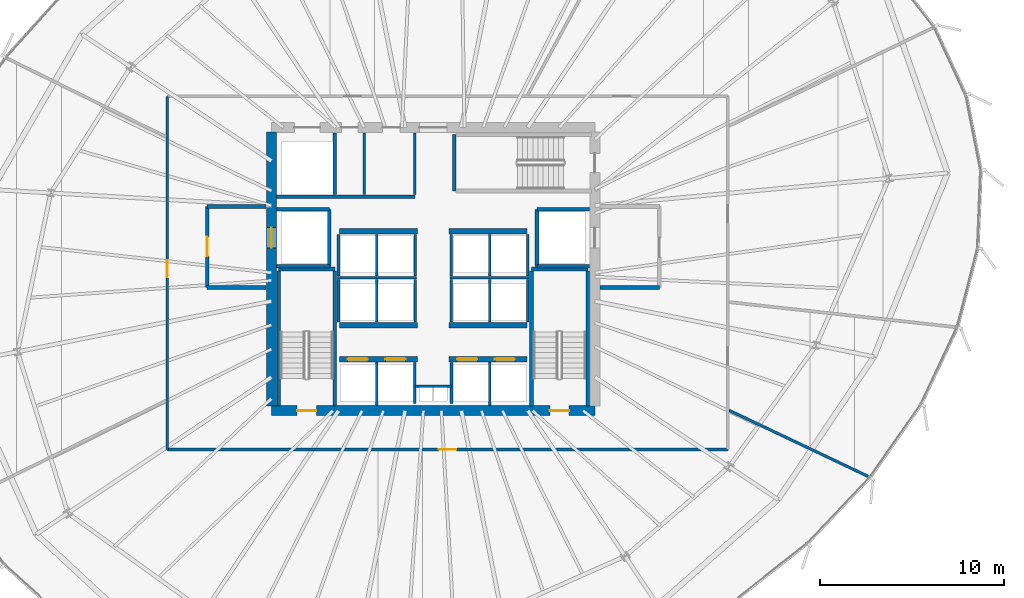
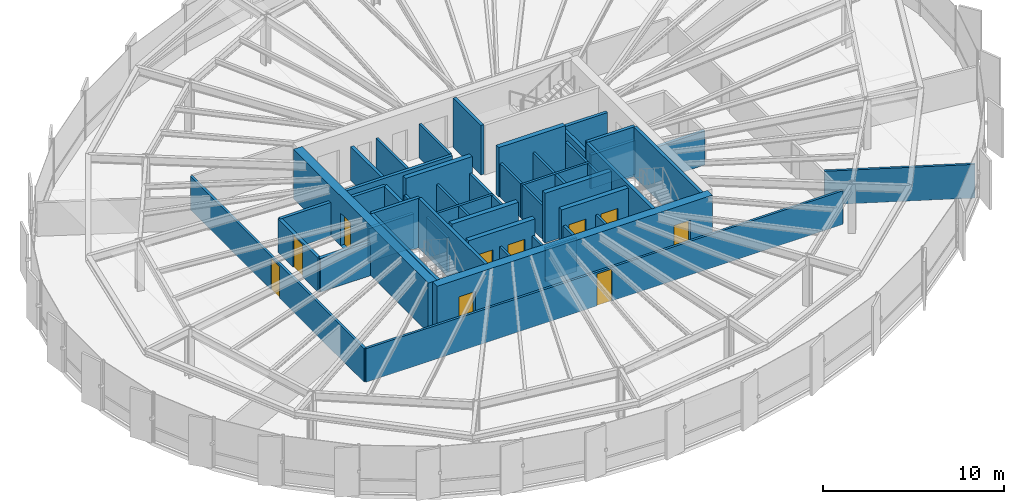
# One storey, part 29 of 35: 51 walls, 10 doors, 10 openings.
"""IFC4 building model written with IfcOpenShell, lengths in metres."""

import ifcopenshell
import ifcopenshell.guid

model = None  # the IFC model being written
_history = None  # IfcOwnerHistory: only IFC2X3 demands one
_inside = {}  # id of a spatial element -> (the spatial element, [elements in it])
_under = {}  # id of a project, library or spatial element -> (it, [spatial elements below it])
_declared = {}  # id of a project -> (the project, [libraries it declares])
_typed = {}  # id of a type object -> (the type object, [elements of that type])
_made_of = {}  # id of a material, layer set ... -> (it, [elements and type objects made of it])


def new_model(schema):
    """Start an empty IFC model of exactly this schema.

    Asked for "IFC4X3", IfcOpenShell would pick the latest addendum, in which some entities
    have other attributes; the version numbers below select the first issue.
    IFC2X3 requires an IfcOwnerHistory on every rooted entity: one is made here for all.
    """
    global model, _history
    if schema == "IFC4X3":
        model = ifcopenshell.file(schema_version=(4, 3, 0, 0))
    else:
        model = ifcopenshell.file(schema=schema)
    _inside.clear()
    _under.clear()
    _declared.clear()
    _typed.clear()
    _made_of.clear()
    _history = None
    if model.schema == "IFC2X3":
        org = make("IfcOrganization", Name="unknown")
        user = make(
            "IfcPersonAndOrganization",
            ThePerson=make("IfcPerson", FamilyName="unknown"),
            TheOrganization=org,
        )
        app = make(
            "IfcApplication",
            ApplicationDeveloper=org,
            Version="unknown",
            ApplicationFullName="unknown",
            ApplicationIdentifier="unknown",
        )
        _history = make(
            "IfcOwnerHistory",
            OwningUser=user,
            OwningApplication=app,
            ChangeAction="ADDED",
            CreationDate=0,
        )
    return model


def make(cls, **values):
    """One entity of the class cls with the attributes given. An attribute that is None is left unset."""
    return model.create_entity(
        cls, **{name: value for name, value in values.items() if value is not None}
    )


def rooted(cls, **values):
    """An entity with a GlobalId (a new one), such as an element, a storey or a relation."""
    return make(cls, GlobalId=ifcopenshell.guid.new(), OwnerHistory=_history, **values)


def si_unit(unit_type, name, prefix=None):
    """IfcSIUnit, for example si_unit("LENGTHUNIT", "METRE", prefix="MILLI")."""
    return make("IfcSIUnit", UnitType=unit_type, Prefix=prefix, Name=name)


def assignment(units):
    """IfcUnitAssignment: the units of a project."""
    return None if units is None else make("IfcUnitAssignment", Units=units)


def point(xyz):
    """IfcCartesianPoint."""
    return None if xyz is None else make("IfcCartesianPoint", Coordinates=xyz)


def direction(xyz):
    """IfcDirection."""
    return None if xyz is None else make("IfcDirection", DirectionRatios=xyz)


def frame(location, z_axis=None, x_axis=None):
    """IfcAxis2Placement3D, a coordinate frame: its origin and axes. An axis left out is left unset."""
    return make(
        "IfcAxis2Placement3D",
        Location=point(location),
        Axis=direction(z_axis),
        RefDirection=direction(x_axis),
    )


def frame_2d(location, x_axis=None):
    """IfcAxis2Placement2D, a coordinate frame in the plane: its origin and x axis."""
    return make(
        "IfcAxis2Placement2D", Location=point(location), RefDirection=direction(x_axis)
    )


def origin():
    """The frame at (0, 0, 0) with its axes left unset."""
    return frame((0.0, 0.0, 0.0))


def place(relative_to, where):
    """IfcLocalPlacement: puts the frame where relative to a parent placement (None: the world)."""
    return make(
        "IfcLocalPlacement", PlacementRelTo=relative_to, RelativePlacement=where
    )


def context(
    kind, dimensions, precision=None, world=None, true_north=None, identifier=None
):
    """IfcGeometricRepresentationContext, for example the 3D "Model" context."""
    return make(
        "IfcGeometricRepresentationContext",
        ContextIdentifier=identifier,
        ContextType=kind,
        CoordinateSpaceDimension=dimensions,
        Precision=precision,
        WorldCoordinateSystem=world,
        TrueNorth=true_north,
    )


def subcontext(parent, identifier, kind, view, scale=None):
    """IfcGeometricRepresentationSubContext, for example "Body" below "Model"."""
    return make(
        "IfcGeometricRepresentationSubContext",
        ContextIdentifier=identifier,
        ContextType=kind,
        ParentContext=parent,
        TargetScale=scale,
        TargetView=view,
    )


def project(units=None, contexts=None):
    """IfcProject with its units and contexts."""
    return rooted(
        "IfcProject",
        Name="project",
        RepresentationContexts=contexts,
        UnitsInContext=assignment(units),
    )


def spatial(cls, under=None, at=None, **own):
    """A site, building, storey or space (cls), placed at a placement, below another one or the project."""
    s = rooted(cls, ObjectPlacement=at, **own)
    if under is not None:
        _under.setdefault(under.id(), (under, []))[1].append(s)
    return s


def profile(cls, at=None, kind="AREA", **sizes):
    """A parametric profile (cls). Its sizes go by their IFC names, for example OverallWidth=200.0."""
    return make(cls, ProfileType=kind, Position=at, **sizes)


def rectangle(**sizes):
    """IfcRectangleProfileDef."""
    return profile("IfcRectangleProfileDef", **sizes)


def extrude(swept, where, along, depth):
    """IfcExtrudedAreaSolid: the profile swept, set in the frame where, extruded along a direction by depth."""
    return make(
        "IfcExtrudedAreaSolid",
        SweptArea=swept,
        Position=where,
        ExtrudedDirection=direction(along),
        Depth=depth,
    )


def shape(context_of_items, identifier, shape_type, items):
    """IfcShapeRepresentation: the items that make up one representation, for example the "Body"."""
    return make(
        "IfcShapeRepresentation",
        ContextOfItems=context_of_items,
        RepresentationIdentifier=identifier,
        RepresentationType=shape_type,
        Items=items,
    )


def source(mapping_origin, context_of_items, identifier, shape_type, items):
    """IfcRepresentationMap: a shape defined once, which mapped items show again and again."""
    return make(
        "IfcRepresentationMap",
        MappingOrigin=mapping_origin,
        MappedRepresentation=shape(context_of_items, identifier, shape_type, items),
    )


def transform(
    local_origin,
    x_axis=None,
    y_axis=None,
    z_axis=None,
    scale=None,
    scale2=None,
    scale3=None,
    uniform=True,
):
    """IfcCartesianTransformationOperator3D, or its non-uniform kind. x_axis, y_axis, z_axis: its Axis1, 2, 3."""
    if uniform:
        return make(
            "IfcCartesianTransformationOperator3D",
            Axis1=direction(x_axis),
            Axis2=direction(y_axis),
            LocalOrigin=point(local_origin),
            Scale=scale,
            Axis3=direction(z_axis),
        )
    return make(
        "IfcCartesianTransformationOperator3DnonUniform",
        Axis1=direction(x_axis),
        Axis2=direction(y_axis),
        LocalOrigin=point(local_origin),
        Scale=scale,
        Axis3=direction(z_axis),
        Scale2=scale2,
        Scale3=scale3,
    )


def mapped(mapping_source, mapping_target):
    """IfcMappedItem: shows the shape of a source again, moved by a transform."""
    return make(
        "IfcMappedItem", MappingSource=mapping_source, MappingTarget=mapping_target
    )


def material(Name=None, Category=None):
    """IfcMaterial."""
    return make("IfcMaterial", Name=Name, Category=Category)


def layer(
    of_material, thickness, ventilated=None, Name=None, Category=None, Priority=None
):
    """IfcMaterialLayer: one layer of a wall or slab, of a material (None: an air gap)."""
    return make(
        "IfcMaterialLayer",
        Material=of_material,
        LayerThickness=thickness,
        IsVentilated=ventilated,
        Name=Name,
        Category=Category,
        Priority=Priority,
    )


def layer_set(layers, Name=None):
    """IfcMaterialLayerSet."""
    return make("IfcMaterialLayerSet", MaterialLayers=layers, LayerSetName=Name)


def made_of(thing, what):
    """Note that an element or type object is made of a material, layer set ...; save() writes the relation."""
    if what is not None:
        _made_of.setdefault(what.id(), (what, []))[1].append(thing)
    return thing


def type_object(cls, material=None, **own):
    """A type object (cls), such as IfcWallType, which elements share."""
    return made_of(rooted(cls, **own), material)


def element(
    cls,
    number,
    at=None,
    inside=None,
    cuts=None,
    type_object=None,
    material=None,
    context=None,
    identifier="Body",
    shape_type=None,
    held_by="IfcProductDefinitionShape",
    body=None,
    shapes=None,
    **own,
):
    """One element of the class cls, such as IfcWall. Its Tag is "e" and its number.

    at: its placement. inside: the storey or other place that contains it. cuts: it is an
    opening in that element (IfcRelVoidsElement). A single representation is given by context,
    identifier, shape_type and body (its items); several are given by shapes. held_by: the class
    of the entity that holds the representations. save() writes the other relations.
    """
    e = rooted(cls, Tag="e%d" % number, ObjectPlacement=at, **own)
    if body is not None:
        shapes = [shape(context, identifier, shape_type, body)]
    if shapes is not None:
        e.Representation = make(held_by, Representations=shapes)
    if inside is not None:
        _inside.setdefault(inside.id(), (inside, []))[1].append(e)
    if cuts is not None:
        rooted(
            "IfcRelVoidsElement", RelatingBuildingElement=cuts, RelatedOpeningElement=e
        )
    if type_object is not None:
        _typed.setdefault(type_object.id(), (type_object, []))[1].append(e)
    return made_of(e, material)


def fill(opening, filler):
    """IfcRelFillsElement: the door or window that sits in an opening."""
    return rooted(
        "IfcRelFillsElement",
        RelatingOpeningElement=opening,
        RelatedBuildingElement=filler,
    )


def aggregate(whole, parts):
    """IfcRelAggregates: a whole, such as a stair, and the parts it consists of."""
    return rooted("IfcRelAggregates", RelatingObject=whole, RelatedObjects=parts)


def save(model, path):
    """Write the relations noted so far, then the file.

    IfcRelAggregates (storeys below a building ...), IfcRelContainedInSpatialStructure (elements
    in a storey), IfcRelDefinesByType, IfcRelAssociatesMaterial and IfcRelDeclares: one each for
    every whole, place, type object, material and project.
    """
    for whole, parts in _under.values():
        aggregate(whole, parts)
    for where, things in _inside.values():
        rooted(
            "IfcRelContainedInSpatialStructure",
            RelatedElements=things,
            RelatingStructure=where,
        )
    for kind, things in _typed.values():
        rooted("IfcRelDefinesByType", RelatedObjects=things, RelatingType=kind)
    for what, things in _made_of.values():
        rooted("IfcRelAssociatesMaterial", RelatedObjects=things, RelatingMaterial=what)
    for by, libraries in _declared.values():
        rooted("IfcRelDeclares", RelatingContext=by, RelatedDefinitions=libraries)
    model.write(path)


model = new_model("IFC4")

# Units and contexts
model_context = context("Model", 3, precision=1e-05, world=origin(), true_north=direction((0.0, 1.0)))
body_context = subcontext(model_context, "Body", "Model", "MODEL_VIEW")
ifc_project = project(units=[si_unit("LENGTHUNIT", "METRE"), si_unit("AREAUNIT", "SQUARE_METRE"), si_unit("VOLUMEUNIT", "CUBIC_METRE"), si_unit("PLANEANGLEUNIT", "RADIAN"), si_unit("MASSUNIT", "GRAM", prefix="KILO"), si_unit("THERMODYNAMICTEMPERATUREUNIT", "KELVIN")], contexts=[model_context])

# Site, building, storey
site_placement = place(None, origin())
site = spatial("IfcSite", under=ifc_project, at=site_placement, CompositionType="ELEMENT")
building_placement = place(site_placement, origin())
building = spatial("IfcBuilding", under=site, at=building_placement, Name="Kethvar Cultural Tower", CompositionType="ELEMENT")
storey_placement = place(building_placement, frame((0.0, 0.0, 107.199951171875)))
storey = spatial("IfcBuildingStorey", under=building, at=storey_placement, Name="L26", CompositionType="ELEMENT", Elevation=107.199951171875)

# Wall, openings, doors
ifc_material_1 = material(Name="Concrete C60/75", Category="concrete")
ifc_layer_1 = layer(ifc_material_1, 0.550048828125, Name="Concrete C60/75", Category="concrete")
ifc_layer_set_1 = layer_set([ifc_layer_1], Name="Concrete C60/75 (550 mm)")
wall_type_1 = type_object("IfcWallType", Name="WL-CORE-550", PredefinedType="SHEAR", material=ifc_layer_set_1)
wall_1_placement = place(storey_placement, frame((38.0, 20.10009765625, 0.0), z_axis=(0.0, 0.0, 1.0), x_axis=(1.0, 0.0, 0.0)))
wall_1 = element("IfcWall", 1, at=wall_1_placement, inside=storey, type_object=wall_type_1, Name="L26 Core Shear Wall S", PredefinedType="SHEAR", context=body_context, shape_type="SweptSolid", body=[
    extrude(rectangle(XDim=17.60009765625, YDim=0.550048828125, at=frame_2d((8.800048828125, 0.0))), origin(), (0.0, 0.0, 1.0), 3.35009765625),
])
opening_1_placement = place(wall_1_placement, frame((1.39990234375, 0.0, 0.0)))
opening_1 = element("IfcOpeningElement", 2, at=opening_1_placement, cuts=wall_1, Name="Opening D-L26-S1", PredefinedType="OPENING", context=body_context, shape_type="SweptSolid", body=[
    extrude(rectangle(XDim=1.050048828125, YDim=2.14990234375, at=frame_2d((0.52490234375, 1.074951171875))), frame((0.0, 0.284912109375, 0.0), z_axis=(0.0, -1.0, 0.0), x_axis=(1.0, 0.0, 0.0)), (0.0, 0.0, 1.0), 0.570068359375),
])
opening_2_placement = place(wall_1_placement, frame((15.14990234375, 0.0, 0.0)))
opening_2 = element("IfcOpeningElement", 3, at=opening_2_placement, cuts=wall_1, Name="Opening D-L26-ST2", PredefinedType="OPENING", context=body_context, shape_type="SweptSolid", body=[
    extrude(rectangle(XDim=1.050048828125, YDim=2.14990234375, at=frame_2d((0.52490234375, 1.074951171875))), frame((0.0, 0.284912109375, 0.0), z_axis=(0.0, -1.0, 0.0), x_axis=(1.0, 0.0, 0.0)), (0.0, 0.0, 1.0), 0.570068359375),
])
ifc_material_2 = material(Name="Steel S355J2", Category="steel")
door_type_1 = type_object("IfcDoorType", Name="DR-FD60-1050", OperationType="NOTDEFINED", PredefinedType="DOOR", material=ifc_material_2)
shared_shape_1 = source(origin(), body_context, "Body", "SweptSolid", [
    extrude(rectangle(XDim=1.050048828125, YDim=2.14990234375, at=frame_2d((0.52490234375, 1.074951171875))), frame((0.0, 0.02490234375, 0.0), z_axis=(0.0, -1.0, 0.0), x_axis=(1.0, 0.0, 0.0)), (0.0, 0.0, 1.0), 0.050048828125),
])
door_1_placement = place(opening_1_placement, origin())
door_1 = element("IfcDoor", 4, at=door_1_placement, inside=storey, type_object=door_type_1, Name="L26 Exit Stair 1 Door", OperationType="SINGLE_SWING_LEFT", OverallHeight=2.14990234375, OverallWidth=1.050048828125, PredefinedType="DOOR", context=body_context, shape_type="MappedRepresentation", body=[
    mapped(shared_shape_1, transform((0.0, 0.0, 0.0), scale=1.0)),
])
fill(opening_1, door_1)
door_2_placement = place(opening_2_placement, origin())
door_2 = element("IfcDoor", 5, at=door_2_placement, inside=storey, type_object=door_type_1, Name="L26 Exit Stair 2 Door", OperationType="SINGLE_SWING_RIGHT", OverallHeight=2.14990234375, OverallWidth=1.050048828125, PredefinedType="DOOR", context=body_context, shape_type="MappedRepresentation", body=[
    mapped(shared_shape_1, transform((0.0, 0.0, 0.0), scale=1.0)),
])
fill(opening_2, door_2)

# Wall, opening, door
wall_2_placement = place(storey_placement, frame((38.0, 35.260009765625, 0.0), z_axis=(0.0, 0.0, 1.0), x_axis=(0.0, -1.0, 0.0)))
wall_2 = element("IfcWall", 6, at=wall_2_placement, inside=storey, type_object=wall_type_1, Name="L26 Core Shear Wall W", PredefinedType="SHEAR", context=body_context, shape_type="SweptSolid", body=[
    extrude(rectangle(XDim=14.919921875, YDim=0.550048828125, at=frame_2d((7.4599609375, 0.0))), origin(), (0.0, 0.0, 1.0), 3.35009765625),
])
opening_3_placement = place(wall_2_placement, frame((5.2099609375, 0.0, 0.0)))
opening_3 = element("IfcOpeningElement", 7, at=opening_3_placement, cuts=wall_2, Name="Opening LD-1", PredefinedType="OPENING", context=body_context, shape_type="SweptSolid", body=[
    extrude(rectangle(XDim=1.10009765625, YDim=2.199951171875, at=frame_2d((0.550048828125, 1.10009765625))), frame((0.0, 0.284912109375, 0.0), z_axis=(0.0, -1.0, 0.0), x_axis=(1.0, 0.0, 0.0)), (0.0, 0.0, 1.0), 0.570068359375),
])
door_type_2 = type_object("IfcDoorType", Name="DR-LIFT-SLIDE-1100", OperationType="NOTDEFINED", PredefinedType="DOOR", material=ifc_material_2)
shared_shape_2 = source(origin(), body_context, "Body", "SweptSolid", [
    extrude(rectangle(XDim=1.10009765625, YDim=2.199951171875, at=frame_2d((0.550048828125, 1.10009765625))), frame((0.0, 0.02490234375, 0.0), z_axis=(0.0, -1.0, 0.0), x_axis=(1.0, 0.0, 0.0)), (0.0, 0.0, 1.0), 0.050048828125),
])
door_3_placement = place(opening_3_placement, origin())
door_3 = element("IfcDoor", 8, at=door_3_placement, inside=storey, type_object=door_type_2, Name="L26 Firefighting Lift Landing Door FFL-01", OperationType="SLIDING_TO_LEFT", OverallHeight=2.199951171875, OverallWidth=1.10009765625, PredefinedType="DOOR", context=body_context, shape_type="MappedRepresentation", body=[
    mapped(shared_shape_2, transform((0.0, 0.0, 0.0), scale=1.0)),
])
fill(opening_3, door_3)

# Walls
ifc_material_3 = material(Name="Gypsum Fireboard Partition")
ifc_layer_2 = layer(ifc_material_3, 0.14990234375, Name="Gypsum Fireboard Partition")
ifc_layer_set_2 = layer_set([ifc_layer_2], Name="Gypsum Fireboard Partition (150 mm)")
wall_type_2 = type_object("IfcWallType", Name="WL-FIRE-150", PredefinedType="PARTITIONING", material=ifc_layer_set_2)
wall_3_placement = place(storey_placement, frame((45.800048828125, 21.419921875, 0.0), z_axis=(0.0, 0.0, 1.0), x_axis=(1.0, 0.0, 0.0)))
element("IfcWall", 9, at=wall_3_placement, inside=storey, type_object=wall_type_2, Name="L26 Core Riser Wall", PredefinedType="PARTITIONING", context=body_context, shape_type="SweptSolid", body=[
    extrude(rectangle(XDim=2.0, YDim=0.14990234375, at=frame_2d((1.0, 0.0))), origin(), (0.0, 0.0, 1.0), 2.280029296875),
])
for number, where, z_axis, x_axis, name in (
    (10, (45.800048828125, 20.47998046875, 0.0), (0.0, 0.0, 1.0), (0.0, 1.0, 0.0), "L26 Core Riser West Wall"),
    (11, (47.800048828125, 20.47998046875, 0.0), (0.0, 0.0, 1.0), (0.0, 1.0, 0.0), "L26 Core Riser East Wall"),
):
    element("IfcWall", number, at=place(storey_placement, frame(where, z_axis=z_axis, x_axis=x_axis)), inside=storey, type_object=wall_type_2, Name=name, PredefinedType="PARTITIONING", context=body_context, shape_type="SweptSolid", body=[
        extrude(rectangle(XDim=2.239990234375, YDim=0.14990234375, at=frame_2d((1.1201171875, 0.0))), origin(), (0.0, 0.0, 1.0), 2.280029296875),
    ])
for number, where, z_axis, x_axis, name in (
    (12, (43.72509765625, 20.385009765625, 0.0), (0.0, 0.0, 1.0), (0.0, 1.0, 0.0), "L26 Low-Rise Lift Shaft Divider W"),
    (13, (49.875, 20.385009765625, 0.0), (0.0, 0.0, 1.0), (0.0, 1.0, 0.0), "L26 Low-Rise Lift Shaft Divider E"),
):
    element("IfcWall", number, at=place(storey_placement, frame(where, z_axis=z_axis, x_axis=x_axis)), inside=storey, type_object=wall_type_2, Name=name, PredefinedType="PARTITIONING", context=body_context, shape_type="SweptSolid", body=[
        extrude(rectangle(XDim=2.344970703125, YDim=0.14990234375, at=frame_2d((1.17236328125, 0.0))), origin(), (0.0, 0.0, 1.0), 2.280029296875),
    ])
wall_4_placement = place(storey_placement, frame((41.580078125, 27.324951171875, 0.0), z_axis=(0.0, 0.0, 1.0), x_axis=(1.0, 0.0, 0.0)))
element("IfcWall", 14, at=wall_4_placement, inside=storey, type_object=wall_type_2, Name="L26 Mid-High Lift Shaft Back Wall W", PredefinedType="PARTITIONING", context=body_context, shape_type="SweptSolid", body=[
    extrude(rectangle(XDim=4.31982421875, YDim=0.14990234375, at=frame_2d((2.159912109375, 0.0))), origin(), (0.0, 0.0, 1.0), 2.280029296875),
])
wall_5_placement = place(storey_placement, frame((47.699951171875, 27.324951171875, 0.0), z_axis=(0.0, 0.0, 1.0), x_axis=(1.0, 0.0, 0.0)))
element("IfcWall", 15, at=wall_5_placement, inside=storey, type_object=wall_type_2, Name="L26 Mid-High Lift Shaft Back Wall E", PredefinedType="PARTITIONING", context=body_context, shape_type="SweptSolid", body=[
    extrude(rectangle(XDim=4.320068359375, YDim=0.14990234375, at=frame_2d((2.16015625, 0.0))), origin(), (0.0, 0.0, 1.0), 2.280029296875),
])
for number, where, z_axis, x_axis, name in (
    (16, (41.64990234375, 24.919921875, 0.0), (0.0, 0.0, 1.0), (0.0, 1.0, 0.0), "L26 Mid-Rise Lift Shaft Outer Wall W"),
    (17, (43.72509765625, 24.919921875, 0.0), (0.0, 0.0, 1.0), (0.0, 1.0, 0.0), "L26 Mid-Rise Lift Shaft Divider W"),
    (18, (45.824951171875, 24.919921875, 0.0), (0.0, 0.0, 1.0), (0.0, 1.0, 0.0), "L26 Mid-Rise Lift Shaft Concourse Wall W"),
    (19, (47.77490234375, 24.919921875, 0.0), (0.0, 0.0, 1.0), (0.0, 1.0, 0.0), "L26 Mid-Rise Lift Shaft Concourse Wall E"),
    (20, (49.875, 24.919921875, 0.0), (0.0, 0.0, 1.0), (0.0, 1.0, 0.0), "L26 Mid-Rise Lift Shaft Divider E"),
    (21, (51.949951171875, 24.919921875, 0.0), (0.0, 0.0, 1.0), (0.0, 1.0, 0.0), "L26 Mid-Rise Lift Shaft Outer Wall E"),
):
    element("IfcWall", number, at=place(storey_placement, frame(where, z_axis=z_axis, x_axis=x_axis)), inside=storey, type_object=wall_type_2, Name=name, PredefinedType="PARTITIONING", context=body_context, shape_type="SweptSolid", body=[
        extrude(rectangle(XDim=2.320068359375, YDim=0.14990234375, at=frame_2d((1.16015625, 0.0))), origin(), (0.0, 0.0, 1.0), 2.280029296875),
    ])
for number, where, z_axis, x_axis, name in (
    (22, (41.64990234375, 27.409912109375, 0.0), (0.0, 0.0, 1.0), (0.0, 1.0, 0.0), "L26 High-Rise Lift Shaft Outer Wall W"),
    (23, (43.72509765625, 27.409912109375, 0.0), (0.0, 0.0, 1.0), (0.0, 1.0, 0.0), "L26 High-Rise Lift Shaft Divider W"),
    (24, (45.824951171875, 27.409912109375, 0.0), (0.0, 0.0, 1.0), (0.0, 1.0, 0.0), "L26 High-Rise Lift Shaft Concourse Wall W"),
    (25, (47.77490234375, 27.409912109375, 0.0), (0.0, 0.0, 1.0), (0.0, 1.0, 0.0), "L26 High-Rise Lift Shaft Concourse Wall E"),
    (26, (49.875, 27.409912109375, 0.0), (0.0, 0.0, 1.0), (0.0, 1.0, 0.0), "L26 High-Rise Lift Shaft Divider E"),
    (27, (51.949951171875, 27.409912109375, 0.0), (0.0, 0.0, 1.0), (0.0, 1.0, 0.0), "L26 High-Rise Lift Shaft Outer Wall E"),
):
    element("IfcWall", number, at=place(storey_placement, frame(where, z_axis=z_axis, x_axis=x_axis)), inside=storey, type_object=wall_type_2, Name=name, PredefinedType="PARTITIONING", context=body_context, shape_type="SweptSolid", body=[
        extrude(rectangle(XDim=2.27001953125, YDim=0.14990234375, at=frame_2d((1.135009765625, 0.0))), origin(), (0.0, 0.0, 1.0), 2.280029296875),
    ])
wall_6_placement = place(storey_placement, frame((45.800048828125, 31.85009765625, 0.0), z_axis=(0.0, 0.0, 1.0), x_axis=(0.0, 1.0, 0.0)))
element("IfcWall", 28, at=wall_6_placement, inside=storey, type_object=wall_type_2, Name="L26 Sanitary Spine Wall", PredefinedType="PARTITIONING", context=body_context, shape_type="SweptSolid", body=[
    extrude(rectangle(XDim=3.364990234375, YDim=0.14990234375, at=frame_2d((1.6826171875, 0.0))), origin(), (0.0, 0.0, 1.0), 2.280029296875),
])

# Wall, opening, door
wall_7_placement = place(storey_placement, frame((32.330078125, 17.97998046875, 0.0), z_axis=(0.0, 0.0, 1.0), x_axis=(1.0, 0.0, 0.0)))
wall_7 = element("IfcWall", 29, at=wall_7_placement, inside=storey, type_object=wall_type_2, Name="L26 Corridor Rated Wall S", PredefinedType="PARTITIONING", context=body_context, shape_type="SweptSolid", body=[
    extrude(rectangle(XDim=30.5, YDim=0.14990234375, at=frame_2d((15.25, 0.0))), origin(), (0.0, 0.0, 1.0), 2.280029296875),
])
opening_4_placement = place(wall_7_placement, frame((14.77490234375, 0.0, 0.0)))
opening_4 = element("IfcOpeningElement", 30, at=opening_4_placement, cuts=wall_7, Name="Opening D-L26-01", PredefinedType="OPENING", context=body_context, shape_type="SweptSolid", body=[
    extrude(rectangle(XDim=0.949951171875, YDim=2.14990234375, at=frame_2d((0.47509765625, 1.074951171875))), frame((0.0, 0.0849609375, 0.0), z_axis=(0.0, -1.0, 0.0), x_axis=(1.0, 0.0, 0.0)), (0.0, 0.0, 1.0), 0.169921875),
])
ifc_material_4 = material(Name="Architectural Oak Timber", Category="wood")
door_type_3 = type_object("IfcDoorType", Name="DR-FD30-950", OperationType="NOTDEFINED", PredefinedType="DOOR", material=ifc_material_4)
shared_shape_3 = source(origin(), body_context, "Body", "SweptSolid", [
    extrude(rectangle(XDim=0.949951171875, YDim=2.14990234375, at=frame_2d((0.47509765625, 1.074951171875))), frame((0.0, 0.02490234375, 0.0), z_axis=(0.0, -1.0, 0.0), x_axis=(1.0, 0.0, 0.0)), (0.0, 0.0, 1.0), 0.050048828125),
])
door_4_placement = place(opening_4_placement, origin())
door_4 = element("IfcDoor", 31, at=door_4_placement, inside=storey, type_object=door_type_3, Name="L26 Visitor Reception 01 Door", OperationType="SINGLE_SWING_LEFT", OverallHeight=2.14990234375, OverallWidth=0.949951171875, PredefinedType="DOOR", context=body_context, shape_type="MappedRepresentation", body=[
    mapped(shared_shape_3, transform((0.0, 0.0, 0.0), scale=1.0)),
])
fill(opening_4, door_4)

wall_8_placement = place(storey_placement, frame((32.330078125, 37.199951171875, 0.0), z_axis=(0.0, 0.0, 1.0), x_axis=(0.0, -1.0, 0.0)))
wall_8 = element("IfcWall", 32, at=wall_8_placement, inside=storey, type_object=wall_type_2, Name="L26 Corridor Rated Wall W", PredefinedType="PARTITIONING", context=body_context, shape_type="SweptSolid", body=[
    extrude(rectangle(XDim=19.219970703125, YDim=0.14990234375, at=frame_2d((9.60986328125, 0.0))), origin(), (0.0, 0.0, 1.0), 2.280029296875),
])
opening_5_placement = place(wall_8_placement, frame((8.907958984375, 0.0, 0.0)))
opening_5 = element("IfcOpeningElement", 33, at=opening_5_placement, cuts=wall_8, Name="Opening D-L26-06", PredefinedType="OPENING", context=body_context, shape_type="SweptSolid", body=[
    extrude(rectangle(XDim=0.949951171875, YDim=2.14990234375, at=frame_2d((0.47509765625, 1.074951171875))), frame((0.0, 0.0849609375, 0.0), z_axis=(0.0, -1.0, 0.0), x_axis=(1.0, 0.0, 0.0)), (0.0, 0.0, 1.0), 0.169921875),
])
door_5_placement = place(opening_5_placement, origin())
door_5 = element("IfcDoor", 34, at=door_5_placement, inside=storey, type_object=door_type_3, Name="L26 Staff Tea Pantry 06 Door", OperationType="SINGLE_SWING_RIGHT", OverallHeight=2.14990234375, OverallWidth=0.949951171875, PredefinedType="DOOR", context=body_context, shape_type="MappedRepresentation", body=[
    mapped(shared_shape_3, transform((0.0, 0.0, 0.0), scale=1.0)),
])
fill(opening_5, door_5)

# Walls
ifc_material_5 = material(Name="Concrete C40/50", Category="concrete")
ifc_layer_3 = layer(ifc_material_5, 0.199951171875, Name="Concrete C40/50", Category="concrete")
ifc_layer_set_3 = layer_set([ifc_layer_3], Name="Concrete C40/50 (200 mm)")
wall_type_3 = type_object("IfcWallType", Name="WL-FIRE-200", PredefinedType="PARTITIONING", material=ifc_layer_set_3)
wall_9_placement = place(storey_placement, frame((41.14990234375, 27.949951171875, 0.0), z_axis=(0.0, 0.0, 1.0), x_axis=(0.0, 1.0, 0.0)))
element("IfcWall", 35, at=wall_9_placement, inside=storey, type_object=wall_type_3, Name="L26 FFL-01 Shaft Inner Wall", PredefinedType="PARTITIONING", context=body_context, shape_type="SweptSolid", body=[
    extrude(rectangle(XDim=3.10009765625, YDim=0.199951171875, at=frame_2d((1.550048828125, 0.0))), origin(), (0.0, 0.0, 1.0), 2.280029296875),
])
for number, where, z_axis, x_axis, name in (
    (36, (38.284912109375, 27.949951171875, 0.0), (0.0, 0.0, 1.0), (1.0, 0.0, 0.0), "L26 FFL-01 Shaft South Wall"),
    (37, (38.284912109375, 31.050048828125, 0.0), (0.0, 0.0, 1.0), (1.0, 0.0, 0.0), "L26 FFL-01 Shaft North Wall"),
):
    element("IfcWall", number, at=place(storey_placement, frame(where, z_axis=z_axis, x_axis=x_axis)), inside=storey, type_object=wall_type_3, Name=name, PredefinedType="PARTITIONING", context=body_context, shape_type="SweptSolid", body=[
        extrude(rectangle(XDim=2.864990234375, YDim=0.199951171875, at=frame_2d((1.4326171875, 0.0))), origin(), (0.0, 0.0, 1.0), 2.280029296875),
    ])

# Wall, opening, door
wall_10_placement = place(storey_placement, frame((34.5, 31.199951171875, 0.0), z_axis=(0.0, 0.0, 1.0), x_axis=(0.0, -1.0, 0.0)))
wall_10 = element("IfcWall", 38, at=wall_10_placement, inside=storey, type_object=wall_type_3, Name="L26 Firefighting Lobby 1 Wall", PredefinedType="PARTITIONING", context=body_context, shape_type="SweptSolid", body=[
    extrude(rectangle(XDim=4.39990234375, YDim=0.199951171875, at=frame_2d((2.199951171875, 0.0))), origin(), (0.0, 0.0, 1.0), 2.280029296875),
])
opening_6_placement = place(wall_10_placement, frame((1.64990234375, 0.0, 0.0)))
opening_6 = element("IfcOpeningElement", 39, at=opening_6_placement, cuts=wall_10, Name="Opening D-L26-F1", PredefinedType="OPENING", context=body_context, shape_type="SweptSolid", body=[
    extrude(rectangle(XDim=1.050048828125, YDim=2.14990234375, at=frame_2d((0.52490234375, 1.074951171875))), frame((0.0, 0.10986328125, 0.0), z_axis=(0.0, -1.0, 0.0), x_axis=(1.0, 0.0, 0.0)), (0.0, 0.0, 1.0), 0.219970703125),
])
door_6_placement = place(opening_6_placement, origin())
door_6 = element("IfcDoor", 40, at=door_6_placement, inside=storey, type_object=door_type_1, Name="L26 Firefighting Lobby 1 Fire Door", OperationType="SINGLE_SWING_LEFT", OverallHeight=2.14990234375, OverallWidth=1.050048828125, PredefinedType="DOOR", context=body_context, shape_type="MappedRepresentation", body=[
    mapped(shared_shape_1, transform((0.0, 0.0, 0.0), scale=1.0)),
])
fill(opening_6, door_6)

# Walls
for number, where, z_axis, x_axis, name in (
    (41, (34.5, 26.800048828125, 0.0), (0.0, 0.0, 1.0), (1.0, 0.0, 0.0), "L26 FF Lobby 1 South Wall"),
    (42, (34.5, 31.199951171875, 0.0), (0.0, 0.0, 1.0), (1.0, 0.0, 0.0), "L26 FF Lobby 1 North Wall"),
):
    element("IfcWall", number, at=place(storey_placement, frame(where, z_axis=z_axis, x_axis=x_axis)), inside=storey, type_object=wall_type_3, Name=name, PredefinedType="PARTITIONING", context=body_context, shape_type="SweptSolid", body=[
        extrude(rectangle(XDim=3.215087890625, YDim=0.199951171875, at=frame_2d((1.607421875, 0.0))), origin(), (0.0, 0.0, 1.0), 2.280029296875),
    ])
wall_11_placement = place(storey_placement, frame((52.449951171875, 27.949951171875, 0.0), z_axis=(0.0, 0.0, 1.0), x_axis=(0.0, 1.0, 0.0)))
element("IfcWall", 43, at=wall_11_placement, inside=storey, type_object=wall_type_3, Name="L26 FFL-02 Shaft Inner Wall", PredefinedType="PARTITIONING", context=body_context, shape_type="SweptSolid", body=[
    extrude(rectangle(XDim=3.10009765625, YDim=0.199951171875, at=frame_2d((1.550048828125, 0.0))), origin(), (0.0, 0.0, 1.0), 2.280029296875),
])
for number, where, z_axis, x_axis, name in (
    (44, (52.449951171875, 27.949951171875, 0.0), (0.0, 0.0, 1.0), (1.0, 0.0, 0.0), "L26 FFL-02 Shaft South Wall"),
    (45, (52.449951171875, 31.050048828125, 0.0), (0.0, 0.0, 1.0), (1.0, 0.0, 0.0), "L26 FFL-02 Shaft North Wall"),
):
    element("IfcWall", number, at=place(storey_placement, frame(where, z_axis=z_axis, x_axis=x_axis)), inside=storey, type_object=wall_type_3, Name=name, PredefinedType="PARTITIONING", context=body_context, shape_type="SweptSolid", body=[
        extrude(rectangle(XDim=2.864990234375, YDim=0.199951171875, at=frame_2d((1.4326171875, 0.0))), origin(), (0.0, 0.0, 1.0), 2.280029296875),
    ])
wall_12_placement = place(storey_placement, frame((55.885009765625, 26.800048828125, 0.0), z_axis=(0.0, 0.0, 1.0), x_axis=(1.0, 0.0, 0.0)))
element("IfcWall", 46, at=wall_12_placement, inside=storey, type_object=wall_type_3, Name="L26 FF Lobby 2 South Wall", PredefinedType="PARTITIONING", context=body_context, shape_type="SweptSolid", body=[
    extrude(rectangle(XDim=3.215087890625, YDim=0.199951171875, at=frame_2d((1.607421875, 0.0))), origin(), (0.0, 0.0, 1.0), 2.280029296875),
])
wall_13_placement = place(storey_placement, frame((41.449951171875, 31.85009765625, 0.0), z_axis=(0.0, 0.0, 1.0), x_axis=(0.0, 1.0, 0.0)))
element("IfcWall", 47, at=wall_13_placement, inside=storey, type_object=wall_type_3, Name="L26 NW Core Pocket Wall", PredefinedType="PARTITIONING", context=body_context, shape_type="SweptSolid", body=[
    extrude(rectangle(XDim=3.364990234375, YDim=0.199951171875, at=frame_2d((1.6826171875, 0.0))), origin(), (0.0, 0.0, 1.0), 2.280029296875),
])
wall_14_placement = place(storey_placement, frame((38.284912109375, 31.72998046875, 0.0), z_axis=(0.0, 0.0, 1.0), x_axis=(1.0, 0.0, 0.0)))
element("IfcWall", 48, at=wall_14_placement, inside=storey, type_object=wall_type_3, Name="L26 North Core Sanitary South Wall", PredefinedType="PARTITIONING", context=body_context, shape_type="SweptSolid", body=[
    extrude(rectangle(XDim=7.51513671875, YDim=0.199951171875, at=frame_2d((3.757568359375, 0.0))), origin(), (0.0, 0.0, 1.0), 2.280029296875),
])
ifc_material_6 = material(Name="Gypsum Acoustic Partition")
ifc_layer_4 = layer(ifc_material_6, 0.14990234375, Name="Gypsum Acoustic Partition")
ifc_layer_set_4 = layer_set([ifc_layer_4], Name="Gypsum Acoustic Partition (150 mm)")
wall_type_4 = type_object("IfcWallType", Name="WL-PART-150", PredefinedType="PARTITIONING", material=ifc_layer_set_4)
wall_15_placement = place(storey_placement, frame((62.90234375, 20.109619140625, 0.0), z_axis=(0.0, 0.0, 1.0), x_axis=(0.903290218611, -0.429030046689, 0.0)))
element("IfcWall", 49, at=wall_15_placement, inside=storey, type_object=wall_type_4, Name="L26 Radial Partition Wall 02", PredefinedType="PARTITIONING", context=body_context, shape_type="SweptSolid", body=[
    extrude(rectangle(XDim=8.371826171875, YDim=0.14990234375, at=frame_2d((4.18603515625, 0.0))), origin(), (0.0, 0.0, 1.0), 2.280029296875),
])
ifc_material_7 = material(Name="Moisture-Resistant Sanitary Chase Wall")
ifc_layer_5 = layer(ifc_material_7, 0.14990234375, Name="Moisture-Resistant Sanitary Chase Wall")
ifc_layer_set_5 = layer_set([ifc_layer_5], Name="Moisture-Resistant Sanitary Chase Wall (150 mm)")
wall_type_5 = type_object("IfcWallType", Name="WL-PLUMB-150", PredefinedType="PLUMBINGWALL", material=ifc_layer_set_5)
wall_16_placement = place(storey_placement, frame((43.050048828125, 31.85009765625, 0.0), z_axis=(0.0, 0.0, 1.0), x_axis=(0.0, 1.0, 0.0)))
element("IfcWall", 50, at=wall_16_placement, inside=storey, type_object=wall_type_5, Name="L26 Sanitary Plumbing Wall", PredefinedType="PLUMBINGWALL", context=body_context, shape_type="SweptSolid", body=[
    extrude(rectangle(XDim=3.364990234375, YDim=0.14990234375, at=frame_2d((1.6826171875, 0.0))), origin(), (0.0, 0.0, 1.0), 2.280029296875),
])

# Wall, openings, doors
ifc_material_8 = material(Name="Concrete C50/60", Category="concrete")
ifc_layer_6 = layer(ifc_material_8, 0.300048828125, Name="Concrete C50/60", Category="concrete")
ifc_layer_set_6 = layer_set([ifc_layer_6], Name="Concrete C50/60 (300 mm)")
wall_type_6 = type_object("IfcWallType", Name="WL-SHAFT-300", PredefinedType="SHEAR", material=ifc_layer_set_6)
wall_17_placement = place(storey_placement, frame((41.699951171875, 22.89990234375, 0.0), z_axis=(0.0, 0.0, 1.0), x_axis=(1.0, 0.0, 0.0)))
wall_17 = element("IfcWall", 51, at=wall_17_placement, inside=storey, type_object=wall_type_6, Name="L26 Core Lift Spine Wall MID1W", PredefinedType="SHEAR", context=body_context, shape_type="SweptSolid", body=[
    extrude(rectangle(XDim=4.25, YDim=0.300048828125, at=frame_2d((2.125, 0.0))), origin(), (0.0, 0.0, 1.0), 3.35009765625),
])
opening_7_placement = place(wall_17_placement, frame((0.449951171875, 0.0, 0.0)))
opening_7 = element("IfcOpeningElement", 52, at=opening_7_placement, cuts=wall_17, Name="Opening LD-L1", PredefinedType="OPENING", context=body_context, shape_type="SweptSolid", body=[
    extrude(rectangle(XDim=1.10009765625, YDim=2.199951171875, at=frame_2d((0.550048828125, 1.10009765625))), frame((0.0, 0.159912109375, 0.0), z_axis=(0.0, -1.0, 0.0), x_axis=(1.0, 0.0, 0.0)), (0.0, 0.0, 1.0), 0.320068359375),
])
opening_8_placement = place(wall_17_placement, frame((2.5, 0.0, 0.0)))
opening_8 = element("IfcOpeningElement", 53, at=opening_8_placement, cuts=wall_17, Name="Opening LD-L2", PredefinedType="OPENING", context=body_context, shape_type="SweptSolid", body=[
    extrude(rectangle(XDim=1.10009765625, YDim=2.199951171875, at=frame_2d((0.550048828125, 1.10009765625))), frame((0.0, 0.159912109375, 0.0), z_axis=(0.0, -1.0, 0.0), x_axis=(1.0, 0.0, 0.0)), (0.0, 0.0, 1.0), 0.320068359375),
])
door_7_placement = place(opening_7_placement, origin())
door_7 = element("IfcDoor", 54, at=door_7_placement, inside=storey, type_object=door_type_2, Name="L26 Low-Rise Lift Landing Door L1", OperationType="SLIDING_TO_LEFT", OverallHeight=2.199951171875, OverallWidth=1.10009765625, PredefinedType="DOOR", context=body_context, shape_type="MappedRepresentation", body=[
    mapped(shared_shape_2, transform((0.0, 0.0, 0.0), scale=1.0)),
])
fill(opening_7, door_7)
door_8_placement = place(opening_8_placement, origin())
door_8 = element("IfcDoor", 55, at=door_8_placement, inside=storey, type_object=door_type_2, Name="L26 Low-Rise Lift Landing Door L2", OperationType="SLIDING_TO_LEFT", OverallHeight=2.199951171875, OverallWidth=1.10009765625, PredefinedType="DOOR", context=body_context, shape_type="MappedRepresentation", body=[
    mapped(shared_shape_2, transform((0.0, 0.0, 0.0), scale=1.0)),
])
fill(opening_8, door_8)

wall_18_placement = place(storey_placement, frame((47.64990234375, 22.89990234375, 0.0), z_axis=(0.0, 0.0, 1.0), x_axis=(1.0, 0.0, 0.0)))
wall_18 = element("IfcWall", 56, at=wall_18_placement, inside=storey, type_object=wall_type_6, Name="L26 Core Lift Spine Wall MID1E", PredefinedType="SHEAR", context=body_context, shape_type="SweptSolid", body=[
    extrude(rectangle(XDim=4.25, YDim=0.300048828125, at=frame_2d((2.125, 0.0))), origin(), (0.0, 0.0, 1.0), 3.35009765625),
])
opening_9_placement = place(wall_18_placement, frame((0.449951171875, 0.0, 0.0)))
opening_9 = element("IfcOpeningElement", 57, at=opening_9_placement, cuts=wall_18, Name="Opening LD-L3", PredefinedType="OPENING", context=body_context, shape_type="SweptSolid", body=[
    extrude(rectangle(XDim=1.10009765625, YDim=2.199951171875, at=frame_2d((0.550048828125, 1.10009765625))), frame((0.0, 0.159912109375, 0.0), z_axis=(0.0, -1.0, 0.0), x_axis=(1.0, 0.0, 0.0)), (0.0, 0.0, 1.0), 0.320068359375),
])
opening_10_placement = place(wall_18_placement, frame((2.5, 0.0, 0.0)))
opening_10 = element("IfcOpeningElement", 58, at=opening_10_placement, cuts=wall_18, Name="Opening LD-L4", PredefinedType="OPENING", context=body_context, shape_type="SweptSolid", body=[
    extrude(rectangle(XDim=1.10009765625, YDim=2.199951171875, at=frame_2d((0.550048828125, 1.10009765625))), frame((0.0, 0.159912109375, 0.0), z_axis=(0.0, -1.0, 0.0), x_axis=(1.0, 0.0, 0.0)), (0.0, 0.0, 1.0), 0.320068359375),
])
door_9_placement = place(opening_9_placement, origin())
door_9 = element("IfcDoor", 59, at=door_9_placement, inside=storey, type_object=door_type_2, Name="L26 Low-Rise Lift Landing Door L3", OperationType="SLIDING_TO_LEFT", OverallHeight=2.199951171875, OverallWidth=1.10009765625, PredefinedType="DOOR", context=body_context, shape_type="MappedRepresentation", body=[
    mapped(shared_shape_2, transform((0.0, 0.0, 0.0), scale=1.0)),
])
fill(opening_9, door_9)
door_10_placement = place(opening_10_placement, origin())
door_10 = element("IfcDoor", 60, at=door_10_placement, inside=storey, type_object=door_type_2, Name="L26 Low-Rise Lift Landing Door L4", OperationType="SLIDING_TO_LEFT", OverallHeight=2.199951171875, OverallWidth=1.10009765625, PredefinedType="DOOR", context=body_context, shape_type="MappedRepresentation", body=[
    mapped(shared_shape_2, transform((0.0, 0.0, 0.0), scale=1.0)),
])
fill(opening_10, door_10)

# Walls
for number, where, z_axis, x_axis, name in (
    (61, (41.699951171875, 24.75, 0.0), (0.0, 0.0, 1.0), (1.0, 0.0, 0.0), "L26 Core Lift Spine Wall MID2W"),
    (62, (47.64990234375, 24.75, 0.0), (0.0, 0.0, 1.0), (1.0, 0.0, 0.0), "L26 Core Lift Spine Wall MID2E"),
    (63, (41.699951171875, 29.85009765625, 0.0), (0.0, 0.0, 1.0), (1.0, 0.0, 0.0), "L26 Core Lift Spine Wall MID3W"),
    (64, (47.64990234375, 29.85009765625, 0.0), (0.0, 0.0, 1.0), (1.0, 0.0, 0.0), "L26 Core Lift Spine Wall MID3E"),
):
    element("IfcWall", number, at=place(storey_placement, frame(where, z_axis=z_axis, x_axis=x_axis)), inside=storey, type_object=wall_type_6, Name=name, PredefinedType="SHEAR", context=body_context, shape_type="SweptSolid", body=[
        extrude(rectangle(XDim=4.25, YDim=0.300048828125, at=frame_2d((2.125, 0.0))), origin(), (0.0, 0.0, 1.0), 3.35009765625),
    ])
ifc_layer_7 = layer(ifc_material_8, 0.199951171875, Name="Concrete C50/60", Category="concrete")
ifc_layer_set_7 = layer_set([ifc_layer_7], Name="Concrete C50/60 (200 mm)")
wall_type_7 = type_object("IfcWallType", Name="WL-STSHAFT-200", PredefinedType="SHEAR", material=ifc_layer_set_7)
wall_19_placement = place(storey_placement, frame((38.389892578125, 27.800048828125, 0.0), z_axis=(0.0, 0.0, 1.0), x_axis=(1.0, 0.0, 0.0)))
element("IfcWall", 65, at=wall_19_placement, inside=storey, type_object=wall_type_7, Name="L26 ST-01 Stair Shaft Wall FAR", PredefinedType="SHEAR", context=body_context, shape_type="SweptSolid", body=[
    extrude(rectangle(XDim=3.06005859375, YDim=0.199951171875, at=frame_2d((1.530029296875, 0.0))), origin(), (0.0, 0.0, 1.0), 3.35009765625),
])
for number, where, z_axis, x_axis, name in (
    (66, (41.449951171875, 27.699951171875, 0.0), (0.0, 0.0, 1.0), (0.0, -1.0, 0.0), "L26 ST-01 Stair Shaft Wall LEFT"),
    (67, (38.389892578125, 20.35009765625, 0.0), (0.0, 0.0, 1.0), (0.0, 1.0, 0.0), "L26 ST-01 Stair Shaft Wall RIGHT"),
):
    element("IfcWall", number, at=place(storey_placement, frame(where, z_axis=z_axis, x_axis=x_axis)), inside=storey, type_object=wall_type_7, Name=name, PredefinedType="SHEAR", context=body_context, shape_type="SweptSolid", body=[
        extrude(rectangle(XDim=7.349853515625, YDim=0.199951171875, at=frame_2d((3.6748046875, 0.0))), origin(), (0.0, 0.0, 1.0), 3.35009765625),
    ])
wall_20_placement = place(storey_placement, frame((52.14990234375, 27.800048828125, 0.0), z_axis=(0.0, 0.0, 1.0), x_axis=(1.0, 0.0, 0.0)))
element("IfcWall", 68, at=wall_20_placement, inside=storey, type_object=wall_type_7, Name="L26 ST-02 Stair Shaft Wall FAR", PredefinedType="SHEAR", context=body_context, shape_type="SweptSolid", body=[
    extrude(rectangle(XDim=3.06005859375, YDim=0.199951171875, at=frame_2d((1.530029296875, 0.0))), origin(), (0.0, 0.0, 1.0), 3.35009765625),
])
for number, where, z_axis, x_axis, name in (
    (69, (55.2099609375, 27.699951171875, 0.0), (0.0, 0.0, 1.0), (0.0, -1.0, 0.0), "L26 ST-02 Stair Shaft Wall LEFT"),
    (70, (52.14990234375, 20.35009765625, 0.0), (0.0, 0.0, 1.0), (0.0, 1.0, 0.0), "L26 ST-02 Stair Shaft Wall RIGHT"),
):
    element("IfcWall", number, at=place(storey_placement, frame(where, z_axis=z_axis, x_axis=x_axis)), inside=storey, type_object=wall_type_7, Name=name, PredefinedType="SHEAR", context=body_context, shape_type="SweptSolid", body=[
        extrude(rectangle(XDim=7.349853515625, YDim=0.199951171875, at=frame_2d((3.6748046875, 0.0))), origin(), (0.0, 0.0, 1.0), 3.35009765625),
    ])
wall_21_placement = place(storey_placement, frame((47.949951171875, 32.050048828125, 0.0), z_axis=(0.0, 0.0, 1.0), x_axis=(0.0, 1.0, 0.0)))
element("IfcWall", 71, at=wall_21_placement, inside=storey, type_object=wall_type_7, Name="L26 ST-03 Stair Shaft Wall FAR", PredefinedType="SHEAR", context=body_context, shape_type="SweptSolid", body=[
    extrude(rectangle(XDim=3.06005859375, YDim=0.199951171875, at=frame_2d((1.530029296875, 0.0))), origin(), (0.0, 0.0, 1.0), 3.35009765625),
])

save(model, "model.ifc")
